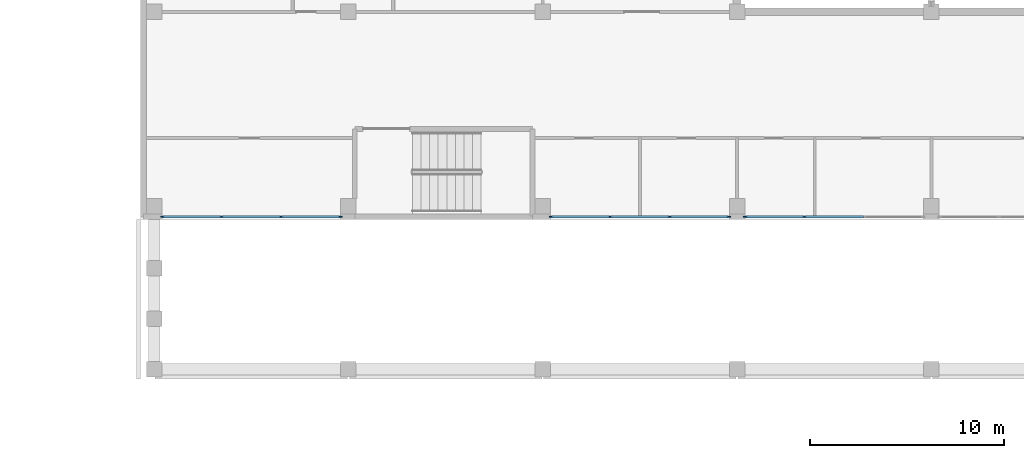
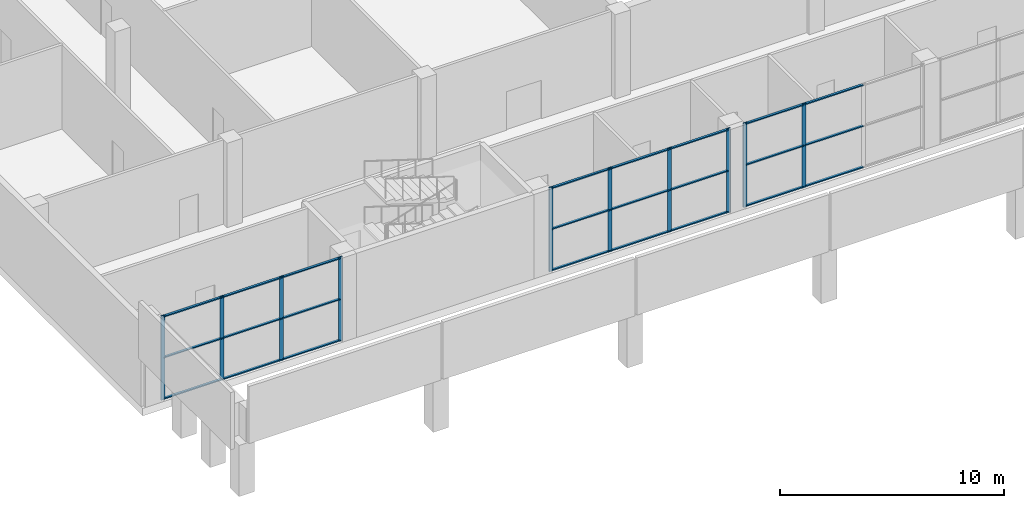
# One storey, part 2 of 36: 34 members, 3 elements without a shape of their own.
"""IFC4 building model written with IfcOpenShell, lengths in metres."""

from ifc_helpers import new_model, si_unit, direction, frame, origin, origin_2d, place, context, subcontext, project, spatial, rectangle, extrude, material, material_profile, profile_set, type_object, element, aggregate, save


model = new_model("IFC4")

# Units and contexts
model_context = context("Model", 3, precision=1e-05, world=origin(), true_north=direction((0.0, 1.0)))
body_context = subcontext(model_context, "Body", "Model", "MODEL_VIEW")
ifc_project = project(units=[si_unit("LENGTHUNIT", "METRE"), si_unit("AREAUNIT", "SQUARE_METRE"), si_unit("VOLUMEUNIT", "CUBIC_METRE"), si_unit("PLANEANGLEUNIT", "RADIAN"), si_unit("MASSUNIT", "GRAM", prefix="KILO")], contexts=[model_context])

# Site, building, storey
site_placement = place(None, origin())
site = spatial("IfcSite", under=ifc_project, at=site_placement, CompositionType="ELEMENT")
building_placement = place(site_placement, origin())
building = spatial("IfcBuilding", under=site, at=building_placement, Name="Jabali Bay Hotel Tower and Convention Centre", CompositionType="ELEMENT")
storey_placement = place(building_placement, frame((0.0, 0.0, 20.39990234375)))
storey = spatial("IfcBuildingStorey", under=building, at=storey_placement, Name="L03", CompositionType="ELEMENT", Elevation=20.39990234375)

# Curtain wall, members
ifc_material_1 = material(Name="Aluminium 6063-T5 and glass", Category="aluminium")
curtain_wall_type = type_object("IfcCurtainWallType", Name="CC CW5 Unitised Curtain Wall", PredefinedType="NOTDEFINED", material=ifc_material_1)
curtain_wall_1_placement = place(storey_placement, origin())
curtain_wall_1 = element("IfcCurtainWall", 1, at=curtain_wall_1_placement, inside=storey, type_object=curtain_wall_type, Name="CC CW5 run 6", PredefinedType="NOTDEFINED")
ifc_material_2 = material(Name="Aluminium 6063-T5", Category="aluminium")
ifc_material_profile_1 = material_profile(ifc_material_2, rectangle(XDim=0.06005859375, YDim=0.199951171875, at=origin_2d()), Name="AL 60x200")
ifc_profile_set_1 = profile_set([ifc_material_profile_1], Name="Aluminium 6063-T5")
member_type_1 = type_object("IfcMemberType", Name="CC Curtain Wall Mullion 60x200", PredefinedType="MULLION", material=ifc_profile_set_1)
member_1_placement = place(storey_placement, frame((151.1298828125, 49.449951171875, 0.0), z_axis=(0.0, 0.0, 1.0), x_axis=(0.0, 1.0, 0.0)))
member_1 = element("IfcMember", 2, at=member_1_placement, type_object=member_type_1, Name="CC-CW5 mullion 1", PredefinedType="MULLION", context=body_context, shape_type="SweptSolid", body=[
    extrude(rectangle(XDim=0.06005859375, YDim=0.199951171875, at=origin_2d()), origin(), (0.0, 0.0, 1.0), 4.590087890625),
])
member_2_placement = place(storey_placement, frame((154.166748046875, 49.449951171875, 0.0), z_axis=(0.0, 0.0, 1.0), x_axis=(0.0, 1.0, 0.0)))
member_2 = element("IfcMember", 3, at=member_2_placement, type_object=member_type_1, Name="CC-CW5 mullion 2", PredefinedType="MULLION", context=body_context, shape_type="SweptSolid", body=[
    extrude(rectangle(XDim=0.06005859375, YDim=0.199951171875, at=origin_2d()), origin(), (0.0, 0.0, 1.0), 4.590087890625),
])
member_3_placement = place(storey_placement, frame((157.2333984375, 49.449951171875, 0.0), z_axis=(0.0, 0.0, 1.0), x_axis=(0.0, 1.0, 0.0)))
member_3 = element("IfcMember", 4, at=member_3_placement, type_object=member_type_1, Name="CC-CW5 mullion 3", PredefinedType="MULLION", context=body_context, shape_type="SweptSolid", body=[
    extrude(rectangle(XDim=0.06005859375, YDim=0.199951171875, at=origin_2d()), origin(), (0.0, 0.0, 1.0), 4.590087890625),
])
member_4_placement = place(storey_placement, frame((160.27001953125, 49.449951171875, 0.0), z_axis=(0.0, 0.0, 1.0), x_axis=(0.0, 1.0, 0.0)))
member_4 = element("IfcMember", 5, at=member_4_placement, type_object=member_type_1, Name="CC-CW5 mullion 4", PredefinedType="MULLION", context=body_context, shape_type="SweptSolid", body=[
    extrude(rectangle(XDim=0.06005859375, YDim=0.199951171875, at=origin_2d()), origin(), (0.0, 0.0, 1.0), 4.590087890625),
])

curtain_wall_2_placement = place(storey_placement, origin())
curtain_wall_2 = element("IfcCurtainWall", 6, at=curtain_wall_2_placement, inside=storey, type_object=curtain_wall_type, Name="CC CW5 run 7", PredefinedType="NOTDEFINED")
member_5_placement = place(storey_placement, frame((171.1298828125, 49.449951171875, 0.0), z_axis=(0.0, 0.0, 1.0), x_axis=(0.0, 1.0, 0.0)))
member_5 = element("IfcMember", 7, at=member_5_placement, type_object=member_type_1, Name="CC-CW5 mullion 1", PredefinedType="MULLION", context=body_context, shape_type="SweptSolid", body=[
    extrude(rectangle(XDim=0.06005859375, YDim=0.199951171875, at=origin_2d()), origin(), (0.0, 0.0, 1.0), 4.590087890625),
])
member_6_placement = place(storey_placement, frame((174.166748046875, 49.449951171875, 0.0), z_axis=(0.0, 0.0, 1.0), x_axis=(0.0, 1.0, 0.0)))
member_6 = element("IfcMember", 8, at=member_6_placement, type_object=member_type_1, Name="CC-CW5 mullion 2", PredefinedType="MULLION", context=body_context, shape_type="SweptSolid", body=[
    extrude(rectangle(XDim=0.06005859375, YDim=0.199951171875, at=origin_2d()), origin(), (0.0, 0.0, 1.0), 4.590087890625),
])
member_7_placement = place(storey_placement, frame((177.2333984375, 49.449951171875, 0.0), z_axis=(0.0, 0.0, 1.0), x_axis=(0.0, 1.0, 0.0)))
member_7 = element("IfcMember", 9, at=member_7_placement, type_object=member_type_1, Name="CC-CW5 mullion 3", PredefinedType="MULLION", context=body_context, shape_type="SweptSolid", body=[
    extrude(rectangle(XDim=0.06005859375, YDim=0.199951171875, at=origin_2d()), origin(), (0.0, 0.0, 1.0), 4.590087890625),
])
member_8_placement = place(storey_placement, frame((180.27001953125, 49.449951171875, 0.0), z_axis=(0.0, 0.0, 1.0), x_axis=(0.0, 1.0, 0.0)))
member_8 = element("IfcMember", 10, at=member_8_placement, type_object=member_type_1, Name="CC-CW5 mullion 4", PredefinedType="MULLION", context=body_context, shape_type="SweptSolid", body=[
    extrude(rectangle(XDim=0.06005859375, YDim=0.199951171875, at=origin_2d()), origin(), (0.0, 0.0, 1.0), 4.590087890625),
])

curtain_wall_3_placement = place(storey_placement, origin())
curtain_wall_3 = element("IfcCurtainWall", 11, at=curtain_wall_3_placement, inside=storey, type_object=curtain_wall_type, Name="CC CW5 run 8", PredefinedType="NOTDEFINED")
member_9_placement = place(storey_placement, frame((181.1298828125, 49.449951171875, 0.0), z_axis=(0.0, 0.0, 1.0), x_axis=(0.0, 1.0, 0.0)))
member_9 = element("IfcMember", 12, at=member_9_placement, type_object=member_type_1, Name="CC-CW5 mullion 1", PredefinedType="MULLION", context=body_context, shape_type="SweptSolid", body=[
    extrude(rectangle(XDim=0.06005859375, YDim=0.199951171875, at=origin_2d()), origin(), (0.0, 0.0, 1.0), 4.590087890625),
])
member_10_placement = place(storey_placement, frame((184.166748046875, 49.449951171875, 0.0), z_axis=(0.0, 0.0, 1.0), x_axis=(0.0, 1.0, 0.0)))
member_10 = element("IfcMember", 13, at=member_10_placement, type_object=member_type_1, Name="CC-CW5 mullion 2", PredefinedType="MULLION", context=body_context, shape_type="SweptSolid", body=[
    extrude(rectangle(XDim=0.06005859375, YDim=0.199951171875, at=origin_2d()), origin(), (0.0, 0.0, 1.0), 4.590087890625),
])

# Member
ifc_material_profile_2 = material_profile(ifc_material_2, rectangle(XDim=0.1201171875, YDim=0.06005859375, at=origin_2d()), Name="AL 120x60")
ifc_profile_set_2 = profile_set([ifc_material_profile_2], Name="Aluminium 6063-T5")
member_type_2 = type_object("IfcMemberType", Name="CC Curtain Wall Transom 60x120", PredefinedType="USERDEFINED", material=ifc_profile_set_2)
member_11_placement = place(storey_placement, frame((151.159912109375, 49.449951171875, 0.06005859375), z_axis=(1.0, 0.0, 0.0), x_axis=(0.0, 1.0, 0.0)))
member_11 = element("IfcMember", 14, at=member_11_placement, type_object=member_type_2, Name="CC-CW5 transom 1.1", ObjectType="TRANSOM", PredefinedType="USERDEFINED", context=body_context, shape_type="SweptSolid", body=[
    extrude(rectangle(XDim=0.1201171875, YDim=0.06005859375, at=origin_2d()), origin(), (0.0, 0.0, 1.0), 2.976806640625),
])

member_12_placement = place(storey_placement, frame((151.159912109375, 49.449951171875, 2.300048828125), z_axis=(1.0, 0.0, 0.0), x_axis=(0.0, 1.0, 0.0)))
member_12 = element("IfcMember", 15, at=member_12_placement, type_object=member_type_2, Name="CC-CW5 transom 1.2", ObjectType="TRANSOM", PredefinedType="USERDEFINED", context=body_context, shape_type="SweptSolid", body=[
    extrude(rectangle(XDim=0.1201171875, YDim=0.06005859375, at=origin_2d()), origin(), (0.0, 0.0, 1.0), 2.976806640625),
])

member_13_placement = place(storey_placement, frame((151.159912109375, 49.449951171875, 4.530029296875), z_axis=(1.0, 0.0, 0.0), x_axis=(0.0, 1.0, 0.0)))
member_13 = element("IfcMember", 16, at=member_13_placement, type_object=member_type_2, Name="CC-CW5 transom 1.3", ObjectType="TRANSOM", PredefinedType="USERDEFINED", context=body_context, shape_type="SweptSolid", body=[
    extrude(rectangle(XDim=0.1201171875, YDim=0.06005859375, at=origin_2d()), origin(), (0.0, 0.0, 1.0), 2.976806640625),
])

member_14_placement = place(storey_placement, frame((154.19677734375, 49.449951171875, 0.06005859375), z_axis=(1.0, 0.0, 0.0), x_axis=(0.0, 1.0, 0.0)))
member_14 = element("IfcMember", 17, at=member_14_placement, type_object=member_type_2, Name="CC-CW5 transom 2.1", ObjectType="TRANSOM", PredefinedType="USERDEFINED", context=body_context, shape_type="SweptSolid", body=[
    extrude(rectangle(XDim=0.1201171875, YDim=0.06005859375, at=origin_2d()), origin(), (0.0, 0.0, 1.0), 3.006591796875),
])

member_15_placement = place(storey_placement, frame((154.19677734375, 49.449951171875, 2.300048828125), z_axis=(1.0, 0.0, 0.0), x_axis=(0.0, 1.0, 0.0)))
member_15 = element("IfcMember", 18, at=member_15_placement, type_object=member_type_2, Name="CC-CW5 transom 2.2", ObjectType="TRANSOM", PredefinedType="USERDEFINED", context=body_context, shape_type="SweptSolid", body=[
    extrude(rectangle(XDim=0.1201171875, YDim=0.06005859375, at=origin_2d()), origin(), (0.0, 0.0, 1.0), 3.006591796875),
])

member_16_placement = place(storey_placement, frame((154.19677734375, 49.449951171875, 4.530029296875), z_axis=(1.0, 0.0, 0.0), x_axis=(0.0, 1.0, 0.0)))
member_16 = element("IfcMember", 19, at=member_16_placement, type_object=member_type_2, Name="CC-CW5 transom 2.3", ObjectType="TRANSOM", PredefinedType="USERDEFINED", context=body_context, shape_type="SweptSolid", body=[
    extrude(rectangle(XDim=0.1201171875, YDim=0.06005859375, at=origin_2d()), origin(), (0.0, 0.0, 1.0), 3.006591796875),
])

member_17_placement = place(storey_placement, frame((157.263427734375, 49.449951171875, 0.06005859375), z_axis=(1.0, 0.0, 0.0), x_axis=(0.0, 1.0, 0.0)))
member_17 = element("IfcMember", 20, at=member_17_placement, type_object=member_type_2, Name="CC-CW5 transom 3.1", ObjectType="TRANSOM", PredefinedType="USERDEFINED", context=body_context, shape_type="SweptSolid", body=[
    extrude(rectangle(XDim=0.1201171875, YDim=0.06005859375, at=origin_2d()), origin(), (0.0, 0.0, 1.0), 2.9765625),
])

member_18_placement = place(storey_placement, frame((157.263427734375, 49.449951171875, 2.300048828125), z_axis=(1.0, 0.0, 0.0), x_axis=(0.0, 1.0, 0.0)))
member_18 = element("IfcMember", 21, at=member_18_placement, type_object=member_type_2, Name="CC-CW5 transom 3.2", ObjectType="TRANSOM", PredefinedType="USERDEFINED", context=body_context, shape_type="SweptSolid", body=[
    extrude(rectangle(XDim=0.1201171875, YDim=0.06005859375, at=origin_2d()), origin(), (0.0, 0.0, 1.0), 2.9765625),
])

member_19_placement = place(storey_placement, frame((157.263427734375, 49.449951171875, 4.530029296875), z_axis=(1.0, 0.0, 0.0), x_axis=(0.0, 1.0, 0.0)))
member_19 = element("IfcMember", 22, at=member_19_placement, type_object=member_type_2, Name="CC-CW5 transom 3.3", ObjectType="TRANSOM", PredefinedType="USERDEFINED", context=body_context, shape_type="SweptSolid", body=[
    extrude(rectangle(XDim=0.1201171875, YDim=0.06005859375, at=origin_2d()), origin(), (0.0, 0.0, 1.0), 2.9765625),
])

aggregate(curtain_wall_1, [member_1, member_2, member_3, member_4, member_11, member_12, member_13, member_14, member_15, member_16, member_17, member_18, member_19])

member_20_placement = place(storey_placement, frame((171.159912109375, 49.449951171875, 0.06005859375), z_axis=(1.0, 0.0, 0.0), x_axis=(0.0, 1.0, 0.0)))
member_20 = element("IfcMember", 23, at=member_20_placement, type_object=member_type_2, Name="CC-CW5 transom 1.1", ObjectType="TRANSOM", PredefinedType="USERDEFINED", context=body_context, shape_type="SweptSolid", body=[
    extrude(rectangle(XDim=0.1201171875, YDim=0.06005859375, at=origin_2d()), origin(), (0.0, 0.0, 1.0), 2.976806640625),
])

member_21_placement = place(storey_placement, frame((171.159912109375, 49.449951171875, 2.300048828125), z_axis=(1.0, 0.0, 0.0), x_axis=(0.0, 1.0, 0.0)))
member_21 = element("IfcMember", 24, at=member_21_placement, type_object=member_type_2, Name="CC-CW5 transom 1.2", ObjectType="TRANSOM", PredefinedType="USERDEFINED", context=body_context, shape_type="SweptSolid", body=[
    extrude(rectangle(XDim=0.1201171875, YDim=0.06005859375, at=origin_2d()), origin(), (0.0, 0.0, 1.0), 2.976806640625),
])

member_22_placement = place(storey_placement, frame((171.159912109375, 49.449951171875, 4.530029296875), z_axis=(1.0, 0.0, 0.0), x_axis=(0.0, 1.0, 0.0)))
member_22 = element("IfcMember", 25, at=member_22_placement, type_object=member_type_2, Name="CC-CW5 transom 1.3", ObjectType="TRANSOM", PredefinedType="USERDEFINED", context=body_context, shape_type="SweptSolid", body=[
    extrude(rectangle(XDim=0.1201171875, YDim=0.06005859375, at=origin_2d()), origin(), (0.0, 0.0, 1.0), 2.976806640625),
])

member_23_placement = place(storey_placement, frame((174.19677734375, 49.449951171875, 0.06005859375), z_axis=(1.0, 0.0, 0.0), x_axis=(0.0, 1.0, 0.0)))
member_23 = element("IfcMember", 26, at=member_23_placement, type_object=member_type_2, Name="CC-CW5 transom 2.1", ObjectType="TRANSOM", PredefinedType="USERDEFINED", context=body_context, shape_type="SweptSolid", body=[
    extrude(rectangle(XDim=0.1201171875, YDim=0.06005859375, at=origin_2d()), origin(), (0.0, 0.0, 1.0), 3.006591796875),
])

member_24_placement = place(storey_placement, frame((174.19677734375, 49.449951171875, 2.300048828125), z_axis=(1.0, 0.0, 0.0), x_axis=(0.0, 1.0, 0.0)))
member_24 = element("IfcMember", 27, at=member_24_placement, type_object=member_type_2, Name="CC-CW5 transom 2.2", ObjectType="TRANSOM", PredefinedType="USERDEFINED", context=body_context, shape_type="SweptSolid", body=[
    extrude(rectangle(XDim=0.1201171875, YDim=0.06005859375, at=origin_2d()), origin(), (0.0, 0.0, 1.0), 3.006591796875),
])

member_25_placement = place(storey_placement, frame((174.19677734375, 49.449951171875, 4.530029296875), z_axis=(1.0, 0.0, 0.0), x_axis=(0.0, 1.0, 0.0)))
member_25 = element("IfcMember", 28, at=member_25_placement, type_object=member_type_2, Name="CC-CW5 transom 2.3", ObjectType="TRANSOM", PredefinedType="USERDEFINED", context=body_context, shape_type="SweptSolid", body=[
    extrude(rectangle(XDim=0.1201171875, YDim=0.06005859375, at=origin_2d()), origin(), (0.0, 0.0, 1.0), 3.006591796875),
])

member_26_placement = place(storey_placement, frame((177.263427734375, 49.449951171875, 0.06005859375), z_axis=(1.0, 0.0, 0.0), x_axis=(0.0, 1.0, 0.0)))
member_26 = element("IfcMember", 29, at=member_26_placement, type_object=member_type_2, Name="CC-CW5 transom 3.1", ObjectType="TRANSOM", PredefinedType="USERDEFINED", context=body_context, shape_type="SweptSolid", body=[
    extrude(rectangle(XDim=0.1201171875, YDim=0.06005859375, at=origin_2d()), origin(), (0.0, 0.0, 1.0), 2.9765625),
])

member_27_placement = place(storey_placement, frame((177.263427734375, 49.449951171875, 2.300048828125), z_axis=(1.0, 0.0, 0.0), x_axis=(0.0, 1.0, 0.0)))
member_27 = element("IfcMember", 30, at=member_27_placement, type_object=member_type_2, Name="CC-CW5 transom 3.2", ObjectType="TRANSOM", PredefinedType="USERDEFINED", context=body_context, shape_type="SweptSolid", body=[
    extrude(rectangle(XDim=0.1201171875, YDim=0.06005859375, at=origin_2d()), origin(), (0.0, 0.0, 1.0), 2.9765625),
])

member_28_placement = place(storey_placement, frame((177.263427734375, 49.449951171875, 4.530029296875), z_axis=(1.0, 0.0, 0.0), x_axis=(0.0, 1.0, 0.0)))
member_28 = element("IfcMember", 31, at=member_28_placement, type_object=member_type_2, Name="CC-CW5 transom 3.3", ObjectType="TRANSOM", PredefinedType="USERDEFINED", context=body_context, shape_type="SweptSolid", body=[
    extrude(rectangle(XDim=0.1201171875, YDim=0.06005859375, at=origin_2d()), origin(), (0.0, 0.0, 1.0), 2.9765625),
])

aggregate(curtain_wall_2, [member_5, member_6, member_7, member_8, member_20, member_21, member_22, member_23, member_24, member_25, member_26, member_27, member_28])

member_29_placement = place(storey_placement, frame((181.159912109375, 49.449951171875, 0.06005859375), z_axis=(1.0, 0.0, 0.0), x_axis=(0.0, 1.0, 0.0)))
member_29 = element("IfcMember", 32, at=member_29_placement, type_object=member_type_2, Name="CC-CW5 transom 1.1", ObjectType="TRANSOM", PredefinedType="USERDEFINED", context=body_context, shape_type="SweptSolid", body=[
    extrude(rectangle(XDim=0.1201171875, YDim=0.06005859375, at=origin_2d()), origin(), (0.0, 0.0, 1.0), 2.976806640625),
])

member_30_placement = place(storey_placement, frame((181.159912109375, 49.449951171875, 2.300048828125), z_axis=(1.0, 0.0, 0.0), x_axis=(0.0, 1.0, 0.0)))
member_30 = element("IfcMember", 33, at=member_30_placement, type_object=member_type_2, Name="CC-CW5 transom 1.2", ObjectType="TRANSOM", PredefinedType="USERDEFINED", context=body_context, shape_type="SweptSolid", body=[
    extrude(rectangle(XDim=0.1201171875, YDim=0.06005859375, at=origin_2d()), origin(), (0.0, 0.0, 1.0), 2.976806640625),
])

member_31_placement = place(storey_placement, frame((181.159912109375, 49.449951171875, 4.530029296875), z_axis=(1.0, 0.0, 0.0), x_axis=(0.0, 1.0, 0.0)))
member_31 = element("IfcMember", 34, at=member_31_placement, type_object=member_type_2, Name="CC-CW5 transom 1.3", ObjectType="TRANSOM", PredefinedType="USERDEFINED", context=body_context, shape_type="SweptSolid", body=[
    extrude(rectangle(XDim=0.1201171875, YDim=0.06005859375, at=origin_2d()), origin(), (0.0, 0.0, 1.0), 2.976806640625),
])

member_32_placement = place(storey_placement, frame((184.19677734375, 49.449951171875, 0.06005859375), z_axis=(1.0, 0.0, 0.0), x_axis=(0.0, 1.0, 0.0)))
member_32 = element("IfcMember", 35, at=member_32_placement, type_object=member_type_2, Name="CC-CW5 transom 2.1", ObjectType="TRANSOM", PredefinedType="USERDEFINED", context=body_context, shape_type="SweptSolid", body=[
    extrude(rectangle(XDim=0.1201171875, YDim=0.06005859375, at=origin_2d()), origin(), (0.0, 0.0, 1.0), 3.006591796875),
])

member_33_placement = place(storey_placement, frame((184.19677734375, 49.449951171875, 2.300048828125), z_axis=(1.0, 0.0, 0.0), x_axis=(0.0, 1.0, 0.0)))
member_33 = element("IfcMember", 36, at=member_33_placement, type_object=member_type_2, Name="CC-CW5 transom 2.2", ObjectType="TRANSOM", PredefinedType="USERDEFINED", context=body_context, shape_type="SweptSolid", body=[
    extrude(rectangle(XDim=0.1201171875, YDim=0.06005859375, at=origin_2d()), origin(), (0.0, 0.0, 1.0), 3.006591796875),
])

member_34_placement = place(storey_placement, frame((184.19677734375, 49.449951171875, 4.530029296875), z_axis=(1.0, 0.0, 0.0), x_axis=(0.0, 1.0, 0.0)))
member_34 = element("IfcMember", 37, at=member_34_placement, type_object=member_type_2, Name="CC-CW5 transom 2.3", ObjectType="TRANSOM", PredefinedType="USERDEFINED", context=body_context, shape_type="SweptSolid", body=[
    extrude(rectangle(XDim=0.1201171875, YDim=0.06005859375, at=origin_2d()), origin(), (0.0, 0.0, 1.0), 3.006591796875),
])

aggregate(curtain_wall_3, [member_9, member_10, member_29, member_30, member_31, member_32, member_33, member_34])

save(model, "model.ifc")
